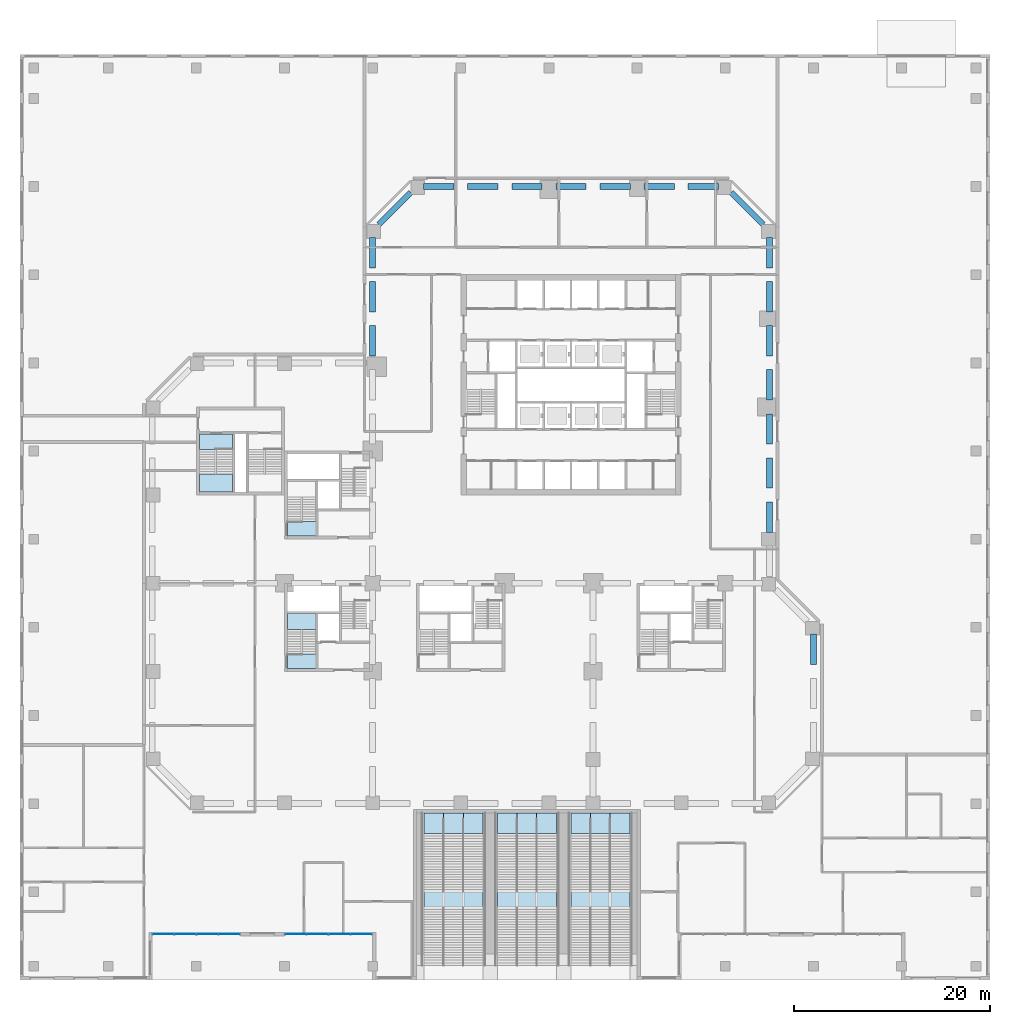
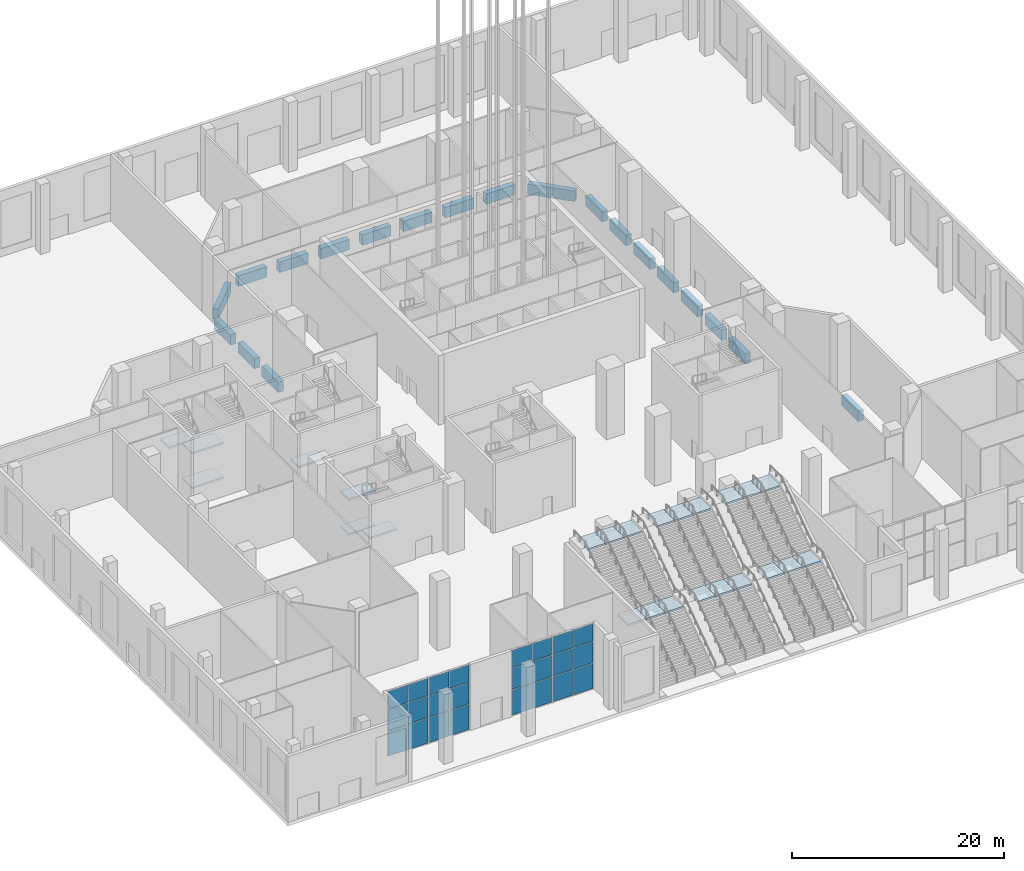
# One storey, part 5 of 32: 25 slabs, 24 plates, 20 beams, 16 elements without a shape of their own.
"""IFC4 building model written with IfcOpenShell, lengths in metres."""

import ifcopenshell
import ifcopenshell.guid

model = None  # the IFC model being written
_history = None  # IfcOwnerHistory: only IFC2X3 demands one
_inside = {}  # id of a spatial element -> (the spatial element, [elements in it])
_under = {}  # id of a project, library or spatial element -> (it, [spatial elements below it])
_declared = {}  # id of a project -> (the project, [libraries it declares])
_typed = {}  # id of a type object -> (the type object, [elements of that type])
_made_of = {}  # id of a material, layer set ... -> (it, [elements and type objects made of it])


def new_model(schema):
    """Start an empty IFC model of exactly this schema.

    Asked for "IFC4X3", IfcOpenShell would pick the latest addendum, in which some entities
    have other attributes; the version numbers below select the first issue.
    IFC2X3 requires an IfcOwnerHistory on every rooted entity: one is made here for all.
    """
    global model, _history
    if schema == "IFC4X3":
        model = ifcopenshell.file(schema_version=(4, 3, 0, 0))
    else:
        model = ifcopenshell.file(schema=schema)
    _inside.clear()
    _under.clear()
    _declared.clear()
    _typed.clear()
    _made_of.clear()
    _history = None
    if model.schema == "IFC2X3":
        org = make("IfcOrganization", Name="unknown")
        user = make(
            "IfcPersonAndOrganization",
            ThePerson=make("IfcPerson", FamilyName="unknown"),
            TheOrganization=org,
        )
        app = make(
            "IfcApplication",
            ApplicationDeveloper=org,
            Version="unknown",
            ApplicationFullName="unknown",
            ApplicationIdentifier="unknown",
        )
        _history = make(
            "IfcOwnerHistory",
            OwningUser=user,
            OwningApplication=app,
            ChangeAction="ADDED",
            CreationDate=0,
        )
    return model


def make(cls, **values):
    """One entity of the class cls with the attributes given. An attribute that is None is left unset."""
    return model.create_entity(
        cls, **{name: value for name, value in values.items() if value is not None}
    )


def rooted(cls, **values):
    """An entity with a GlobalId (a new one), such as an element, a storey or a relation."""
    return make(cls, GlobalId=ifcopenshell.guid.new(), OwnerHistory=_history, **values)


def si_unit(unit_type, name, prefix=None):
    """IfcSIUnit, for example si_unit("LENGTHUNIT", "METRE", prefix="MILLI")."""
    return make("IfcSIUnit", UnitType=unit_type, Prefix=prefix, Name=name)


def assignment(units):
    """IfcUnitAssignment: the units of a project."""
    return None if units is None else make("IfcUnitAssignment", Units=units)


def point(xyz):
    """IfcCartesianPoint."""
    return None if xyz is None else make("IfcCartesianPoint", Coordinates=xyz)


def direction(xyz):
    """IfcDirection."""
    return None if xyz is None else make("IfcDirection", DirectionRatios=xyz)


def frame(location, z_axis=None, x_axis=None):
    """IfcAxis2Placement3D, a coordinate frame: its origin and axes. An axis left out is left unset."""
    return make(
        "IfcAxis2Placement3D",
        Location=point(location),
        Axis=direction(z_axis),
        RefDirection=direction(x_axis),
    )


def frame_2d(location, x_axis=None):
    """IfcAxis2Placement2D, a coordinate frame in the plane: its origin and x axis."""
    return make(
        "IfcAxis2Placement2D", Location=point(location), RefDirection=direction(x_axis)
    )


def origin():
    """The frame at (0, 0, 0) with its axes left unset."""
    return frame((0.0, 0.0, 0.0))


def origin_2d():
    """The frame at (0, 0) in the plane with its x axis left unset."""
    return frame_2d((0.0, 0.0))


def place(relative_to, where):
    """IfcLocalPlacement: puts the frame where relative to a parent placement (None: the world)."""
    return make(
        "IfcLocalPlacement", PlacementRelTo=relative_to, RelativePlacement=where
    )


def context(
    kind, dimensions, precision=None, world=None, true_north=None, identifier=None
):
    """IfcGeometricRepresentationContext, for example the 3D "Model" context."""
    return make(
        "IfcGeometricRepresentationContext",
        ContextIdentifier=identifier,
        ContextType=kind,
        CoordinateSpaceDimension=dimensions,
        Precision=precision,
        WorldCoordinateSystem=world,
        TrueNorth=true_north,
    )


def subcontext(parent, identifier, kind, view, scale=None):
    """IfcGeometricRepresentationSubContext, for example "Body" below "Model"."""
    return make(
        "IfcGeometricRepresentationSubContext",
        ContextIdentifier=identifier,
        ContextType=kind,
        ParentContext=parent,
        TargetScale=scale,
        TargetView=view,
    )


def project(units=None, contexts=None):
    """IfcProject with its units and contexts."""
    return rooted(
        "IfcProject",
        Name="project",
        RepresentationContexts=contexts,
        UnitsInContext=assignment(units),
    )


def spatial(cls, under=None, at=None, **own):
    """A site, building, storey or space (cls), placed at a placement, below another one or the project."""
    s = rooted(cls, ObjectPlacement=at, **own)
    if under is not None:
        _under.setdefault(under.id(), (under, []))[1].append(s)
    return s


def polyline(points):
    """IfcPolyline through the points."""
    return make("IfcPolyline", Points=[point(p) for p in points])


def profile(cls, at=None, kind="AREA", **sizes):
    """A parametric profile (cls). Its sizes go by their IFC names, for example OverallWidth=200.0."""
    return make(cls, ProfileType=kind, Position=at, **sizes)


def rectangle(**sizes):
    """IfcRectangleProfileDef."""
    return profile("IfcRectangleProfileDef", **sizes)


def outline(outer, holes=None, kind="AREA"):
    """IfcArbitraryClosedProfileDef: a profile drawn as a closed curve; with holes, ...WithVoids."""
    if holes is None:
        return make("IfcArbitraryClosedProfileDef", ProfileType=kind, OuterCurve=outer)
    return make(
        "IfcArbitraryProfileDefWithVoids",
        ProfileType=kind,
        OuterCurve=outer,
        InnerCurves=holes,
    )


def extrude(swept, where, along, depth):
    """IfcExtrudedAreaSolid: the profile swept, set in the frame where, extruded along a direction by depth."""
    return make(
        "IfcExtrudedAreaSolid",
        SweptArea=swept,
        Position=where,
        ExtrudedDirection=direction(along),
        Depth=depth,
    )


def shape(context_of_items, identifier, shape_type, items):
    """IfcShapeRepresentation: the items that make up one representation, for example the "Body"."""
    return make(
        "IfcShapeRepresentation",
        ContextOfItems=context_of_items,
        RepresentationIdentifier=identifier,
        RepresentationType=shape_type,
        Items=items,
    )


def material(Name=None, Category=None):
    """IfcMaterial."""
    return make("IfcMaterial", Name=Name, Category=Category)


def layer(
    of_material, thickness, ventilated=None, Name=None, Category=None, Priority=None
):
    """IfcMaterialLayer: one layer of a wall or slab, of a material (None: an air gap)."""
    return make(
        "IfcMaterialLayer",
        Material=of_material,
        LayerThickness=thickness,
        IsVentilated=ventilated,
        Name=Name,
        Category=Category,
        Priority=Priority,
    )


def layer_set(layers, Name=None):
    """IfcMaterialLayerSet."""
    return make("IfcMaterialLayerSet", MaterialLayers=layers, LayerSetName=Name)


def constituent(of_material, Name=None, Category=None, fraction=None):
    """IfcMaterialConstituent: one of the materials an element consists of."""
    return make(
        "IfcMaterialConstituent",
        Name=Name,
        Material=of_material,
        Fraction=fraction,
        Category=Category,
    )


def constituent_set(constituents=None, Name=None):
    """IfcMaterialConstituentSet."""
    return make(
        "IfcMaterialConstituentSet", Name=Name, MaterialConstituents=constituents
    )


def material_profile(
    of_material, cross_section, Name=None, Category=None, Priority=None
):
    """IfcMaterialProfile: a cross section and its material."""
    return make(
        "IfcMaterialProfile",
        Name=Name,
        Material=of_material,
        Profile=cross_section,
        Priority=Priority,
        Category=Category,
    )


def profile_set(profiles, Name=None, composite=None):
    """IfcMaterialProfileSet."""
    return make(
        "IfcMaterialProfileSet",
        Name=Name,
        MaterialProfiles=profiles,
        CompositeProfile=composite,
    )


def made_of(thing, what):
    """Note that an element or type object is made of a material, layer set ...; save() writes the relation."""
    if what is not None:
        _made_of.setdefault(what.id(), (what, []))[1].append(thing)
    return thing


def type_object(cls, material=None, **own):
    """A type object (cls), such as IfcWallType, which elements share."""
    return made_of(rooted(cls, **own), material)


def element(
    cls,
    number,
    at=None,
    inside=None,
    cuts=None,
    type_object=None,
    material=None,
    context=None,
    identifier="Body",
    shape_type=None,
    held_by="IfcProductDefinitionShape",
    body=None,
    shapes=None,
    **own,
):
    """One element of the class cls, such as IfcWall. Its Tag is "e" and its number.

    at: its placement. inside: the storey or other place that contains it. cuts: it is an
    opening in that element (IfcRelVoidsElement). A single representation is given by context,
    identifier, shape_type and body (its items); several are given by shapes. held_by: the class
    of the entity that holds the representations. save() writes the other relations.
    """
    e = rooted(cls, Tag="e%d" % number, ObjectPlacement=at, **own)
    if body is not None:
        shapes = [shape(context, identifier, shape_type, body)]
    if shapes is not None:
        e.Representation = make(held_by, Representations=shapes)
    if inside is not None:
        _inside.setdefault(inside.id(), (inside, []))[1].append(e)
    if cuts is not None:
        rooted(
            "IfcRelVoidsElement", RelatingBuildingElement=cuts, RelatedOpeningElement=e
        )
    if type_object is not None:
        _typed.setdefault(type_object.id(), (type_object, []))[1].append(e)
    return made_of(e, material)


def aggregate(whole, parts):
    """IfcRelAggregates: a whole, such as a stair, and the parts it consists of."""
    return rooted("IfcRelAggregates", RelatingObject=whole, RelatedObjects=parts)


def save(model, path):
    """Write the relations noted so far, then the file.

    IfcRelAggregates (storeys below a building ...), IfcRelContainedInSpatialStructure (elements
    in a storey), IfcRelDefinesByType, IfcRelAssociatesMaterial and IfcRelDeclares: one each for
    every whole, place, type object, material and project.
    """
    for whole, parts in _under.values():
        aggregate(whole, parts)
    for where, things in _inside.values():
        rooted(
            "IfcRelContainedInSpatialStructure",
            RelatedElements=things,
            RelatingStructure=where,
        )
    for kind, things in _typed.values():
        rooted("IfcRelDefinesByType", RelatedObjects=things, RelatingType=kind)
    for what, things in _made_of.values():
        rooted("IfcRelAssociatesMaterial", RelatedObjects=things, RelatingMaterial=what)
    for by, libraries in _declared.values():
        rooted("IfcRelDeclares", RelatingContext=by, RelatedDefinitions=libraries)
    model.write(path)


model = new_model("IFC4")

# Units and contexts
model_context = context("Model", 3, precision=1e-05, world=origin(), true_north=direction((0.0, 1.0)))
body_context = subcontext(model_context, "Body", "Model", "MODEL_VIEW")
ifc_project = project(units=[si_unit("LENGTHUNIT", "METRE"), si_unit("AREAUNIT", "SQUARE_METRE"), si_unit("VOLUMEUNIT", "CUBIC_METRE"), si_unit("PLANEANGLEUNIT", "RADIAN"), si_unit("MASSUNIT", "GRAM", prefix="KILO")], contexts=[model_context])

# Site, building, storey
site_placement = place(None, origin())
site = spatial("IfcSite", under=ifc_project, at=site_placement, CompositionType="ELEMENT")
building_placement = place(site_placement, origin())
building = spatial("IfcBuilding", under=site, at=building_placement, Name="Quoin Convention Tower", CompositionType="ELEMENT")
storey_placement = place(building_placement, origin())
storey = spatial("IfcBuildingStorey", under=building, at=storey_placement, Name="L00", CompositionType="ELEMENT", Elevation=0.0)

# Beams
ifc_material_1 = material(Name="Concrete C100 (100 MPa)", Category="concrete")
ifc_material_profile = material_profile(ifc_material_1, rectangle(XDim=0.60009765625, YDim=1.199951171875, at=origin_2d()), Name="RC 600x1200")
ifc_profile_set = profile_set([ifc_material_profile], Name="Concrete C100 (100 MPa)")
beam_type = type_object("IfcBeamType", Name="RC 600x1200 C100", PredefinedType="SPANDREL", material=ifc_profile_set)
for number, where, z_axis, x_axis, name in (
    (1, (81.0, 32.199951171875, -1.0), (0.0, 1.0, 0.0), (-1.0, 0.0, 0.0), "spd-L00-81000_31500-81000_36000"),
    (2, (76.5, 45.699951171875, -1.0), (0.0, 1.0, 0.0), (-1.0, 0.0, 0.0), "spd-L00-76500_45000-76500_49500"),
    (3, (76.5, 50.199951171875, -1.0), (0.0, 1.0, 0.0), (-1.0, 0.0, 0.0), "spd-L00-76500_49500-76500_54000"),
    (4, (76.5, 54.699951171875, -1.0), (0.0, 1.0, 0.0), (-1.0, 0.0, 0.0), "spd-L00-76500_54000-76500_58500"),
    (5, (76.5, 59.199951171875, -1.0), (0.0, 1.0, 0.0), (-1.0, 0.0, 0.0), "spd-L00-76500_58500-76500_63000"),
    (6, (76.5, 63.699951171875, -1.0), (0.0, 1.0, 0.0), (-1.0, 0.0, 0.0), "spd-L00-76500_63000-76500_67500"),
    (7, (76.5, 68.199951171875, -1.0), (0.0, 1.0, 0.0), (-1.0, 0.0, 0.0), "spd-L00-76500_67500-76500_72000"),
    (8, (76.5, 72.699951171875, -1.0), (0.0, 1.0, 0.0), (-1.0, 0.0, 0.0), "spd-L00-76500_72000-76500_76500"),
):
    element("IfcBeam", number, at=place(storey_placement, frame(where, z_axis=z_axis, x_axis=x_axis)), inside=storey, type_object=beam_type, Name=name, PredefinedType="SPANDREL", context=body_context, shape_type="SweptSolid", body=[
        extrude(rectangle(XDim=0.60009765625, YDim=1.199951171875, at=origin_2d()), origin(), (0.0, 0.0, 1.0), 3.10009765625),
    ])
beam_1_placement = place(storey_placement, frame((75.885009765625, 77.114990234375, -1.0), z_axis=(-0.707106781187, 0.707106781187, 0.0), x_axis=(-0.707106781187, -0.707106781187, 0.0)))
element("IfcBeam", 9, at=beam_1_placement, inside=storey, type_object=beam_type, Name="spd-L00-76500_76500-72000_81000", PredefinedType="SPANDREL", context=body_context, shape_type="SweptSolid", body=[
    extrude(rectangle(XDim=0.60009765625, YDim=1.199951171875, at=origin_2d()), origin(), (0.0, 0.0, 1.0), 4.62451171875),
])
for number, where, z_axis, x_axis, name in (
    (10, (71.300048828125, 81.0, -1.0), (-1.0, 0.0, 0.0), (0.0, -1.0, 0.0), "spd-L00-72000_81000-67500_81000"),
    (11, (66.800048828125, 81.0, -1.0), (-1.0, 0.0, 0.0), (0.0, -1.0, 0.0), "spd-L00-67500_81000-63000_81000"),
    (12, (62.300048828125, 81.0, -1.0), (-1.0, 0.0, 0.0), (0.0, -1.0, 0.0), "spd-L00-63000_81000-58500_81000"),
    (13, (57.800048828125, 81.0, -1.0), (-1.0, 0.0, 0.0), (0.0, -1.0, 0.0), "spd-L00-58500_81000-54000_81000"),
    (14, (53.300048828125, 81.0, -1.0), (-1.0, 0.0, 0.0), (0.0, -1.0, 0.0), "spd-L00-54000_81000-49500_81000"),
    (15, (48.800048828125, 81.0, -1.0), (-1.0, 0.0, 0.0), (0.0, -1.0, 0.0), "spd-L00-49500_81000-45000_81000"),
    (16, (44.300048828125, 81.0, -1.0), (-1.0, 0.0, 0.0), (0.0, -1.0, 0.0), "spd-L00-45000_81000-40500_81000"),
):
    element("IfcBeam", number, at=place(storey_placement, frame(where, z_axis=z_axis, x_axis=x_axis)), inside=storey, type_object=beam_type, Name=name, PredefinedType="SPANDREL", context=body_context, shape_type="SweptSolid", body=[
        extrude(rectangle(XDim=0.60009765625, YDim=1.199951171875, at=origin_2d()), origin(), (0.0, 0.0, 1.0), 3.10009765625),
    ])
beam_2_placement = place(storey_placement, frame((39.885009765625, 80.385009765625, -1.0), z_axis=(-0.707106781187, -0.707106781187, 0.0), x_axis=(0.707106781187, -0.707106781187, 0.0)))
element("IfcBeam", 17, at=beam_2_placement, inside=storey, type_object=beam_type, Name="spd-L00-40500_81000-36000_76500", PredefinedType="SPANDREL", context=body_context, shape_type="SweptSolid", body=[
    extrude(rectangle(XDim=0.60009765625, YDim=1.199951171875, at=origin_2d()), origin(), (0.0, 0.0, 1.0), 4.62451171875),
])
for number, where, z_axis, x_axis, name in (
    (18, (36.0, 75.800048828125, -1.0), (0.0, -1.0, 0.0), (1.0, 0.0, 0.0), "spd-L00-36000_76500-36000_72000"),
    (19, (36.0, 71.300048828125, -1.0), (0.0, -1.0, 0.0), (1.0, 0.0, 0.0), "spd-L00-36000_72000-36000_67500"),
    (20, (36.0, 66.800048828125, -1.0), (0.0, -1.0, 0.0), (1.0, 0.0, 0.0), "spd-L00-36000_67500-36000_63000"),
):
    element("IfcBeam", number, at=place(storey_placement, frame(where, z_axis=z_axis, x_axis=x_axis)), inside=storey, type_object=beam_type, Name=name, PredefinedType="SPANDREL", context=body_context, shape_type="SweptSolid", body=[
        extrude(rectangle(XDim=0.60009765625, YDim=1.199951171875, at=origin_2d()), origin(), (0.0, 0.0, 1.0), 3.10009765625),
    ])

# Stair, slabs
ifc_material_2 = material(Name="Concrete C40", Category="concrete")
ifc_constituent_1 = constituent(ifc_material_2, Name="Structure")
ifc_material_3 = material(Name="Granite", Category="masonry")
ifc_constituent_2 = constituent(ifc_material_3, Name="Finish")
ifc_constituent_set_1 = constituent_set(constituents=[ifc_constituent_1, ifc_constituent_2], Name="Concrete C40")
stair_type_1 = type_object("IfcStairType", Name="Broad street stair", PredefinedType="STRAIGHT_RUN_STAIR", material=ifc_constituent_set_1)
stair_1_placement = place(storey_placement, origin())
stair_1 = element("IfcStair", 21, at=stair_1_placement, inside=storey, type_object=stair_type_1, Name="Broad street stair 1", PredefinedType="STRAIGHT_RUN_STAIR")
ifc_layer_1 = layer(ifc_material_3, 0.0400390625, Name="Finish")
ifc_layer_2 = layer(ifc_material_2, 0.159912109375, Name="Structure")
ifc_layer_set_1 = layer_set([ifc_layer_1, ifc_layer_2], Name="Concrete C40")
slab_type_1 = type_object("IfcSlabType", Name="Broad street stair landing", PredefinedType="LANDING", material=ifc_layer_set_1)
slab_1_placement = place(storey_placement, frame((0.0, 0.0, 3.800048828125)))
slab_1 = element("IfcSlab", 22, at=slab_1_placement, type_object=slab_type_1, Name="BS1 landing 1", PredefinedType="LANDING", context=body_context, shape_type="SweptSolid", body=[
    extrude(outline(polyline([(41.25, 7.219970703125), (43.25, 7.219970703125), (43.25, 9.219970703125), (41.25, 9.219970703125), (41.25, 7.219970703125)])), origin(), (0.0, 0.0, 1.0), 0.199951171875),
])
slab_2_placement = place(storey_placement, frame((0.0, 0.0, 7.800048828125)))
slab_2 = element("IfcSlab", 23, at=slab_2_placement, type_object=slab_type_1, Name="BS1 landing 2", PredefinedType="LANDING", context=body_context, shape_type="SweptSolid", body=[
    extrude(outline(polyline([(41.25, 14.93994140625), (43.25, 14.93994140625), (43.25, 17.050048828125), (41.25, 17.050048828125), (41.25, 14.93994140625)])), origin(), (0.0, 0.0, 1.0), 0.199951171875),
])
aggregate(stair_1, [slab_1, slab_2])

stair_2_placement = place(storey_placement, origin())
stair_2 = element("IfcStair", 24, at=stair_2_placement, inside=storey, type_object=stair_type_1, Name="Broad street stair 2", PredefinedType="STRAIGHT_RUN_STAIR")
slab_3_placement = place(storey_placement, frame((0.0, 0.0, 3.800048828125)))
slab_3 = element("IfcSlab", 25, at=slab_3_placement, type_object=slab_type_1, Name="BS2 landing 1", PredefinedType="LANDING", context=body_context, shape_type="SweptSolid", body=[
    extrude(outline(polyline([(43.25, 7.219970703125), (45.25, 7.219970703125), (45.25, 9.219970703125), (43.25, 9.219970703125), (43.25, 7.219970703125)])), origin(), (0.0, 0.0, 1.0), 0.199951171875),
])
slab_4_placement = place(storey_placement, frame((0.0, 0.0, 7.800048828125)))
slab_4 = element("IfcSlab", 26, at=slab_4_placement, type_object=slab_type_1, Name="BS2 landing 2", PredefinedType="LANDING", context=body_context, shape_type="SweptSolid", body=[
    extrude(outline(polyline([(43.25, 14.93994140625), (45.25, 14.93994140625), (45.25, 17.050048828125), (43.25, 17.050048828125), (43.25, 14.93994140625)])), origin(), (0.0, 0.0, 1.0), 0.199951171875),
])
aggregate(stair_2, [slab_3, slab_4])

stair_3_placement = place(storey_placement, origin())
stair_3 = element("IfcStair", 27, at=stair_3_placement, inside=storey, type_object=stair_type_1, Name="Broad street stair 3", PredefinedType="STRAIGHT_RUN_STAIR")
slab_5_placement = place(storey_placement, frame((0.0, 0.0, 3.800048828125)))
slab_5 = element("IfcSlab", 28, at=slab_5_placement, type_object=slab_type_1, Name="BS3 landing 1", PredefinedType="LANDING", context=body_context, shape_type="SweptSolid", body=[
    extrude(outline(polyline([(45.25, 7.219970703125), (47.25, 7.219970703125), (47.25, 9.219970703125), (45.25, 9.219970703125), (45.25, 7.219970703125)])), origin(), (0.0, 0.0, 1.0), 0.199951171875),
])
slab_6_placement = place(storey_placement, frame((0.0, 0.0, 7.800048828125)))
slab_6 = element("IfcSlab", 29, at=slab_6_placement, type_object=slab_type_1, Name="BS3 landing 2", PredefinedType="LANDING", context=body_context, shape_type="SweptSolid", body=[
    extrude(outline(polyline([(45.25, 14.93994140625), (47.25, 14.93994140625), (47.25, 17.050048828125), (45.25, 17.050048828125), (45.25, 14.93994140625)])), origin(), (0.0, 0.0, 1.0), 0.199951171875),
])
aggregate(stair_3, [slab_5, slab_6])

stair_4_placement = place(storey_placement, origin())
stair_4 = element("IfcStair", 30, at=stair_4_placement, inside=storey, type_object=stair_type_1, Name="Broad street stair 4", PredefinedType="STRAIGHT_RUN_STAIR")
slab_7_placement = place(storey_placement, frame((0.0, 0.0, 3.800048828125)))
slab_7 = element("IfcSlab", 31, at=slab_7_placement, type_object=slab_type_1, Name="BS4 landing 1", PredefinedType="LANDING", context=body_context, shape_type="SweptSolid", body=[
    extrude(outline(polyline([(48.75, 7.219970703125), (50.75, 7.219970703125), (50.75, 9.219970703125), (48.75, 9.219970703125), (48.75, 7.219970703125)])), origin(), (0.0, 0.0, 1.0), 0.199951171875),
])
slab_8_placement = place(storey_placement, frame((0.0, 0.0, 7.800048828125)))
slab_8 = element("IfcSlab", 32, at=slab_8_placement, type_object=slab_type_1, Name="BS4 landing 2", PredefinedType="LANDING", context=body_context, shape_type="SweptSolid", body=[
    extrude(outline(polyline([(48.75, 14.93994140625), (50.75, 14.93994140625), (50.75, 17.050048828125), (48.75, 17.050048828125), (48.75, 14.93994140625)])), origin(), (0.0, 0.0, 1.0), 0.199951171875),
])
aggregate(stair_4, [slab_7, slab_8])

stair_5_placement = place(storey_placement, origin())
stair_5 = element("IfcStair", 33, at=stair_5_placement, inside=storey, type_object=stair_type_1, Name="Broad street stair 5", PredefinedType="STRAIGHT_RUN_STAIR")
slab_9_placement = place(storey_placement, frame((0.0, 0.0, 3.800048828125)))
slab_9 = element("IfcSlab", 34, at=slab_9_placement, type_object=slab_type_1, Name="BS5 landing 1", PredefinedType="LANDING", context=body_context, shape_type="SweptSolid", body=[
    extrude(outline(polyline([(50.75, 7.219970703125), (52.75, 7.219970703125), (52.75, 9.219970703125), (50.75, 9.219970703125), (50.75, 7.219970703125)])), origin(), (0.0, 0.0, 1.0), 0.199951171875),
])
slab_10_placement = place(storey_placement, frame((0.0, 0.0, 7.800048828125)))
slab_10 = element("IfcSlab", 35, at=slab_10_placement, type_object=slab_type_1, Name="BS5 landing 2", PredefinedType="LANDING", context=body_context, shape_type="SweptSolid", body=[
    extrude(outline(polyline([(50.75, 14.93994140625), (52.75, 14.93994140625), (52.75, 17.050048828125), (50.75, 17.050048828125), (50.75, 14.93994140625)])), origin(), (0.0, 0.0, 1.0), 0.199951171875),
])
aggregate(stair_5, [slab_9, slab_10])

stair_6_placement = place(storey_placement, origin())
stair_6 = element("IfcStair", 36, at=stair_6_placement, inside=storey, type_object=stair_type_1, Name="Broad street stair 6", PredefinedType="STRAIGHT_RUN_STAIR")
slab_11_placement = place(storey_placement, frame((0.0, 0.0, 3.800048828125)))
slab_11 = element("IfcSlab", 37, at=slab_11_placement, type_object=slab_type_1, Name="BS6 landing 1", PredefinedType="LANDING", context=body_context, shape_type="SweptSolid", body=[
    extrude(outline(polyline([(52.75, 7.219970703125), (54.75, 7.219970703125), (54.75, 9.219970703125), (52.75, 9.219970703125), (52.75, 7.219970703125)])), origin(), (0.0, 0.0, 1.0), 0.199951171875),
])
slab_12_placement = place(storey_placement, frame((0.0, 0.0, 7.800048828125)))
slab_12 = element("IfcSlab", 38, at=slab_12_placement, type_object=slab_type_1, Name="BS6 landing 2", PredefinedType="LANDING", context=body_context, shape_type="SweptSolid", body=[
    extrude(outline(polyline([(52.75, 14.93994140625), (54.75, 14.93994140625), (54.75, 17.050048828125), (52.75, 17.050048828125), (52.75, 14.93994140625)])), origin(), (0.0, 0.0, 1.0), 0.199951171875),
])
aggregate(stair_6, [slab_11, slab_12])

stair_7_placement = place(storey_placement, origin())
stair_7 = element("IfcStair", 39, at=stair_7_placement, inside=storey, type_object=stair_type_1, Name="Broad street stair 7", PredefinedType="STRAIGHT_RUN_STAIR")
slab_13_placement = place(storey_placement, frame((0.0, 0.0, 3.800048828125)))
slab_13 = element("IfcSlab", 40, at=slab_13_placement, type_object=slab_type_1, Name="BS7 landing 1", PredefinedType="LANDING", context=body_context, shape_type="SweptSolid", body=[
    extrude(outline(polyline([(56.25, 7.219970703125), (58.25, 7.219970703125), (58.25, 9.219970703125), (56.25, 9.219970703125), (56.25, 7.219970703125)])), origin(), (0.0, 0.0, 1.0), 0.199951171875),
])
slab_14_placement = place(storey_placement, frame((0.0, 0.0, 7.800048828125)))
slab_14 = element("IfcSlab", 41, at=slab_14_placement, type_object=slab_type_1, Name="BS7 landing 2", PredefinedType="LANDING", context=body_context, shape_type="SweptSolid", body=[
    extrude(outline(polyline([(56.25, 14.93994140625), (58.25, 14.93994140625), (58.25, 17.050048828125), (56.25, 17.050048828125), (56.25, 14.93994140625)])), origin(), (0.0, 0.0, 1.0), 0.199951171875),
])
aggregate(stair_7, [slab_13, slab_14])

stair_8_placement = place(storey_placement, origin())
stair_8 = element("IfcStair", 42, at=stair_8_placement, inside=storey, type_object=stair_type_1, Name="Broad street stair 8", PredefinedType="STRAIGHT_RUN_STAIR")
slab_15_placement = place(storey_placement, frame((0.0, 0.0, 3.800048828125)))
slab_15 = element("IfcSlab", 43, at=slab_15_placement, type_object=slab_type_1, Name="BS8 landing 1", PredefinedType="LANDING", context=body_context, shape_type="SweptSolid", body=[
    extrude(outline(polyline([(58.25, 7.219970703125), (60.25, 7.219970703125), (60.25, 9.219970703125), (58.25, 9.219970703125), (58.25, 7.219970703125)])), origin(), (0.0, 0.0, 1.0), 0.199951171875),
])
slab_16_placement = place(storey_placement, frame((0.0, 0.0, 7.800048828125)))
slab_16 = element("IfcSlab", 44, at=slab_16_placement, type_object=slab_type_1, Name="BS8 landing 2", PredefinedType="LANDING", context=body_context, shape_type="SweptSolid", body=[
    extrude(outline(polyline([(58.25, 14.93994140625), (60.25, 14.93994140625), (60.25, 17.050048828125), (58.25, 17.050048828125), (58.25, 14.93994140625)])), origin(), (0.0, 0.0, 1.0), 0.199951171875),
])
aggregate(stair_8, [slab_15, slab_16])

stair_9_placement = place(storey_placement, origin())
stair_9 = element("IfcStair", 45, at=stair_9_placement, inside=storey, type_object=stair_type_1, Name="Broad street stair 9", PredefinedType="STRAIGHT_RUN_STAIR")
slab_17_placement = place(storey_placement, frame((0.0, 0.0, 3.800048828125)))
slab_17 = element("IfcSlab", 46, at=slab_17_placement, type_object=slab_type_1, Name="BS9 landing 1", PredefinedType="LANDING", context=body_context, shape_type="SweptSolid", body=[
    extrude(outline(polyline([(60.25, 7.219970703125), (62.25, 7.219970703125), (62.25, 9.219970703125), (60.25, 9.219970703125), (60.25, 7.219970703125)])), origin(), (0.0, 0.0, 1.0), 0.199951171875),
])
slab_18_placement = place(storey_placement, frame((0.0, 0.0, 7.800048828125)))
slab_18 = element("IfcSlab", 47, at=slab_18_placement, type_object=slab_type_1, Name="BS9 landing 2", PredefinedType="LANDING", context=body_context, shape_type="SweptSolid", body=[
    extrude(outline(polyline([(60.25, 14.93994140625), (62.25, 14.93994140625), (62.25, 17.050048828125), (60.25, 17.050048828125), (60.25, 14.93994140625)])), origin(), (0.0, 0.0, 1.0), 0.199951171875),
])
aggregate(stair_9, [slab_17, slab_18])

# Curtain wall, plates
ifc_material_4 = material(Name="Aluminium", Category="aluminium")
ifc_constituent_3 = constituent(ifc_material_4, Name="Frame")
ifc_material_5 = material(Name="Insulated glass", Category="glass")
ifc_constituent_4 = constituent(ifc_material_5, Name="Glazing")
ifc_constituent_set_2 = constituent_set(constituents=[ifc_constituent_3, ifc_constituent_4], Name="Aluminium")
curtain_wall_type = type_object("IfcCurtainWallType", Name="Entrance wall system", PredefinedType="NOTDEFINED", material=ifc_constituent_set_2)
curtain_wall_1_placement = place(storey_placement, origin())
curtain_wall_1 = element("IfcCurtainWall", 48, at=curtain_wall_1_placement, inside=storey, type_object=curtain_wall_type, Name="cw-ENT-L00-13500_4675", PredefinedType="NOTDEFINED")
ifc_layer_3 = layer(ifc_material_5, 0.0439453125)
ifc_layer_set_2 = layer_set([ifc_layer_3], Name="Insulated glass")
plate_type = type_object("IfcPlateType", Name="Entrance wall glazing unit 44", PredefinedType="CURTAIN_PANEL", material=ifc_layer_set_2)
plate_1_placement = place(storey_placement, frame((14.643798828125, 4.675048828125, 0.06005859375), z_axis=(0.0, 0.0, 1.0), x_axis=(1.0, 0.0, 0.0)))
plate_1 = element("IfcPlate", 49, at=plate_1_placement, type_object=plate_type, Name="CW1 panel 1.1", PredefinedType="CURTAIN_PANEL", context=body_context, shape_type="SweptSolid", body=[
    extrude(rectangle(XDim=2.137451171875, YDim=0.0439453125, at=origin_2d()), origin(), (0.0, 0.0, 1.0), 2.909912109375),
])
plate_2_placement = place(storey_placement, frame((14.643798828125, 4.675048828125, 3.030029296875), z_axis=(0.0, 0.0, 1.0), x_axis=(1.0, 0.0, 0.0)))
plate_2 = element("IfcPlate", 50, at=plate_2_placement, type_object=plate_type, Name="CW1 panel 1.2", PredefinedType="CURTAIN_PANEL", context=body_context, shape_type="SweptSolid", body=[
    extrude(rectangle(XDim=2.137451171875, YDim=0.0439453125, at=origin_2d()), origin(), (0.0, 0.0, 1.0), 2.43994140625),
])
plate_3_placement = place(storey_placement, frame((14.643798828125, 4.675048828125, 5.530029296875), z_axis=(0.0, 0.0, 1.0), x_axis=(1.0, 0.0, 0.0)))
plate_3 = element("IfcPlate", 51, at=plate_3_placement, type_object=plate_type, Name="CW1 panel 1.3", PredefinedType="CURTAIN_PANEL", context=body_context, shape_type="SweptSolid", body=[
    extrude(rectangle(XDim=2.137451171875, YDim=0.0439453125, at=origin_2d()), origin(), (0.0, 0.0, 1.0), 2.0),
])
plate_4_placement = place(storey_placement, frame((16.856201171875, 4.675048828125, 0.06005859375), z_axis=(0.0, 0.0, 1.0), x_axis=(1.0, 0.0, 0.0)))
plate_4 = element("IfcPlate", 52, at=plate_4_placement, type_object=plate_type, Name="CW1 panel 2.1", PredefinedType="CURTAIN_PANEL", context=body_context, shape_type="SweptSolid", body=[
    extrude(rectangle(XDim=2.137451171875, YDim=0.0439453125, at=origin_2d()), origin(), (0.0, 0.0, 1.0), 2.909912109375),
])
plate_5_placement = place(storey_placement, frame((16.856201171875, 4.675048828125, 3.030029296875), z_axis=(0.0, 0.0, 1.0), x_axis=(1.0, 0.0, 0.0)))
plate_5 = element("IfcPlate", 53, at=plate_5_placement, type_object=plate_type, Name="CW1 panel 2.2", PredefinedType="CURTAIN_PANEL", context=body_context, shape_type="SweptSolid", body=[
    extrude(rectangle(XDim=2.137451171875, YDim=0.0439453125, at=origin_2d()), origin(), (0.0, 0.0, 1.0), 2.43994140625),
])
plate_6_placement = place(storey_placement, frame((16.856201171875, 4.675048828125, 5.530029296875), z_axis=(0.0, 0.0, 1.0), x_axis=(1.0, 0.0, 0.0)))
plate_6 = element("IfcPlate", 54, at=plate_6_placement, type_object=plate_type, Name="CW1 panel 2.3", PredefinedType="CURTAIN_PANEL", context=body_context, shape_type="SweptSolid", body=[
    extrude(rectangle(XDim=2.137451171875, YDim=0.0439453125, at=origin_2d()), origin(), (0.0, 0.0, 1.0), 2.0),
])
aggregate(curtain_wall_1, [plate_1, plate_2, plate_3, plate_4, plate_5, plate_6])

curtain_wall_2_placement = place(storey_placement, origin())
curtain_wall_2 = element("IfcCurtainWall", 55, at=curtain_wall_2_placement, inside=storey, type_object=curtain_wall_type, Name="cw-ENT-L00-18000_4675", PredefinedType="NOTDEFINED")
plate_7_placement = place(storey_placement, frame((19.143798828125, 4.675048828125, 0.06005859375), z_axis=(0.0, 0.0, 1.0), x_axis=(1.0, 0.0, 0.0)))
plate_7 = element("IfcPlate", 56, at=plate_7_placement, type_object=plate_type, Name="CW1 panel 1.1", PredefinedType="CURTAIN_PANEL", context=body_context, shape_type="SweptSolid", body=[
    extrude(rectangle(XDim=2.137451171875, YDim=0.0439453125, at=origin_2d()), origin(), (0.0, 0.0, 1.0), 2.909912109375),
])
plate_8_placement = place(storey_placement, frame((19.143798828125, 4.675048828125, 3.030029296875), z_axis=(0.0, 0.0, 1.0), x_axis=(1.0, 0.0, 0.0)))
plate_8 = element("IfcPlate", 57, at=plate_8_placement, type_object=plate_type, Name="CW1 panel 1.2", PredefinedType="CURTAIN_PANEL", context=body_context, shape_type="SweptSolid", body=[
    extrude(rectangle(XDim=2.137451171875, YDim=0.0439453125, at=origin_2d()), origin(), (0.0, 0.0, 1.0), 2.43994140625),
])
plate_9_placement = place(storey_placement, frame((19.143798828125, 4.675048828125, 5.530029296875), z_axis=(0.0, 0.0, 1.0), x_axis=(1.0, 0.0, 0.0)))
plate_9 = element("IfcPlate", 58, at=plate_9_placement, type_object=plate_type, Name="CW1 panel 1.3", PredefinedType="CURTAIN_PANEL", context=body_context, shape_type="SweptSolid", body=[
    extrude(rectangle(XDim=2.137451171875, YDim=0.0439453125, at=origin_2d()), origin(), (0.0, 0.0, 1.0), 2.0),
])
plate_10_placement = place(storey_placement, frame((21.356201171875, 4.675048828125, 0.06005859375), z_axis=(0.0, 0.0, 1.0), x_axis=(1.0, 0.0, 0.0)))
plate_10 = element("IfcPlate", 59, at=plate_10_placement, type_object=plate_type, Name="CW1 panel 2.1", PredefinedType="CURTAIN_PANEL", context=body_context, shape_type="SweptSolid", body=[
    extrude(rectangle(XDim=2.137451171875, YDim=0.0439453125, at=origin_2d()), origin(), (0.0, 0.0, 1.0), 2.909912109375),
])
plate_11_placement = place(storey_placement, frame((21.356201171875, 4.675048828125, 3.030029296875), z_axis=(0.0, 0.0, 1.0), x_axis=(1.0, 0.0, 0.0)))
plate_11 = element("IfcPlate", 60, at=plate_11_placement, type_object=plate_type, Name="CW1 panel 2.2", PredefinedType="CURTAIN_PANEL", context=body_context, shape_type="SweptSolid", body=[
    extrude(rectangle(XDim=2.137451171875, YDim=0.0439453125, at=origin_2d()), origin(), (0.0, 0.0, 1.0), 2.43994140625),
])
plate_12_placement = place(storey_placement, frame((21.356201171875, 4.675048828125, 5.530029296875), z_axis=(0.0, 0.0, 1.0), x_axis=(1.0, 0.0, 0.0)))
plate_12 = element("IfcPlate", 61, at=plate_12_placement, type_object=plate_type, Name="CW1 panel 2.3", PredefinedType="CURTAIN_PANEL", context=body_context, shape_type="SweptSolid", body=[
    extrude(rectangle(XDim=2.137451171875, YDim=0.0439453125, at=origin_2d()), origin(), (0.0, 0.0, 1.0), 2.0),
])
aggregate(curtain_wall_2, [plate_7, plate_8, plate_9, plate_10, plate_11, plate_12])

curtain_wall_3_placement = place(storey_placement, origin())
curtain_wall_3 = element("IfcCurtainWall", 62, at=curtain_wall_3_placement, inside=storey, type_object=curtain_wall_type, Name="cw-ENT-L00-27000_4675", PredefinedType="NOTDEFINED")
plate_13_placement = place(storey_placement, frame((28.143798828125, 4.675048828125, 0.06005859375), z_axis=(0.0, 0.0, 1.0), x_axis=(1.0, 0.0, 0.0)))
plate_13 = element("IfcPlate", 63, at=plate_13_placement, type_object=plate_type, Name="CW1 panel 1.1", PredefinedType="CURTAIN_PANEL", context=body_context, shape_type="SweptSolid", body=[
    extrude(rectangle(XDim=2.137451171875, YDim=0.0439453125, at=origin_2d()), origin(), (0.0, 0.0, 1.0), 2.909912109375),
])
plate_14_placement = place(storey_placement, frame((28.143798828125, 4.675048828125, 3.030029296875), z_axis=(0.0, 0.0, 1.0), x_axis=(1.0, 0.0, 0.0)))
plate_14 = element("IfcPlate", 64, at=plate_14_placement, type_object=plate_type, Name="CW1 panel 1.2", PredefinedType="CURTAIN_PANEL", context=body_context, shape_type="SweptSolid", body=[
    extrude(rectangle(XDim=2.137451171875, YDim=0.0439453125, at=origin_2d()), origin(), (0.0, 0.0, 1.0), 2.43994140625),
])
plate_15_placement = place(storey_placement, frame((28.143798828125, 4.675048828125, 5.530029296875), z_axis=(0.0, 0.0, 1.0), x_axis=(1.0, 0.0, 0.0)))
plate_15 = element("IfcPlate", 65, at=plate_15_placement, type_object=plate_type, Name="CW1 panel 1.3", PredefinedType="CURTAIN_PANEL", context=body_context, shape_type="SweptSolid", body=[
    extrude(rectangle(XDim=2.137451171875, YDim=0.0439453125, at=origin_2d()), origin(), (0.0, 0.0, 1.0), 2.0),
])
plate_16_placement = place(storey_placement, frame((30.356201171875, 4.675048828125, 0.06005859375), z_axis=(0.0, 0.0, 1.0), x_axis=(1.0, 0.0, 0.0)))
plate_16 = element("IfcPlate", 66, at=plate_16_placement, type_object=plate_type, Name="CW1 panel 2.1", PredefinedType="CURTAIN_PANEL", context=body_context, shape_type="SweptSolid", body=[
    extrude(rectangle(XDim=2.137451171875, YDim=0.0439453125, at=origin_2d()), origin(), (0.0, 0.0, 1.0), 2.909912109375),
])
plate_17_placement = place(storey_placement, frame((30.356201171875, 4.675048828125, 3.030029296875), z_axis=(0.0, 0.0, 1.0), x_axis=(1.0, 0.0, 0.0)))
plate_17 = element("IfcPlate", 67, at=plate_17_placement, type_object=plate_type, Name="CW1 panel 2.2", PredefinedType="CURTAIN_PANEL", context=body_context, shape_type="SweptSolid", body=[
    extrude(rectangle(XDim=2.137451171875, YDim=0.0439453125, at=origin_2d()), origin(), (0.0, 0.0, 1.0), 2.43994140625),
])
plate_18_placement = place(storey_placement, frame((30.356201171875, 4.675048828125, 5.530029296875), z_axis=(0.0, 0.0, 1.0), x_axis=(1.0, 0.0, 0.0)))
plate_18 = element("IfcPlate", 68, at=plate_18_placement, type_object=plate_type, Name="CW1 panel 2.3", PredefinedType="CURTAIN_PANEL", context=body_context, shape_type="SweptSolid", body=[
    extrude(rectangle(XDim=2.137451171875, YDim=0.0439453125, at=origin_2d()), origin(), (0.0, 0.0, 1.0), 2.0),
])
aggregate(curtain_wall_3, [plate_13, plate_14, plate_15, plate_16, plate_17, plate_18])

curtain_wall_4_placement = place(storey_placement, origin())
curtain_wall_4 = element("IfcCurtainWall", 69, at=curtain_wall_4_placement, inside=storey, type_object=curtain_wall_type, Name="cw-ENT-L00-31500_4675", PredefinedType="NOTDEFINED")
plate_19_placement = place(storey_placement, frame((32.643798828125, 4.675048828125, 0.06005859375), z_axis=(0.0, 0.0, 1.0), x_axis=(1.0, 0.0, 0.0)))
plate_19 = element("IfcPlate", 70, at=plate_19_placement, type_object=plate_type, Name="CW1 panel 1.1", PredefinedType="CURTAIN_PANEL", context=body_context, shape_type="SweptSolid", body=[
    extrude(rectangle(XDim=2.137451171875, YDim=0.0439453125, at=origin_2d()), origin(), (0.0, 0.0, 1.0), 2.909912109375),
])
plate_20_placement = place(storey_placement, frame((32.643798828125, 4.675048828125, 3.030029296875), z_axis=(0.0, 0.0, 1.0), x_axis=(1.0, 0.0, 0.0)))
plate_20 = element("IfcPlate", 71, at=plate_20_placement, type_object=plate_type, Name="CW1 panel 1.2", PredefinedType="CURTAIN_PANEL", context=body_context, shape_type="SweptSolid", body=[
    extrude(rectangle(XDim=2.137451171875, YDim=0.0439453125, at=origin_2d()), origin(), (0.0, 0.0, 1.0), 2.43994140625),
])
plate_21_placement = place(storey_placement, frame((32.643798828125, 4.675048828125, 5.530029296875), z_axis=(0.0, 0.0, 1.0), x_axis=(1.0, 0.0, 0.0)))
plate_21 = element("IfcPlate", 72, at=plate_21_placement, type_object=plate_type, Name="CW1 panel 1.3", PredefinedType="CURTAIN_PANEL", context=body_context, shape_type="SweptSolid", body=[
    extrude(rectangle(XDim=2.137451171875, YDim=0.0439453125, at=origin_2d()), origin(), (0.0, 0.0, 1.0), 2.0),
])
plate_22_placement = place(storey_placement, frame((34.856201171875, 4.675048828125, 0.06005859375), z_axis=(0.0, 0.0, 1.0), x_axis=(1.0, 0.0, 0.0)))
plate_22 = element("IfcPlate", 73, at=plate_22_placement, type_object=plate_type, Name="CW1 panel 2.1", PredefinedType="CURTAIN_PANEL", context=body_context, shape_type="SweptSolid", body=[
    extrude(rectangle(XDim=2.137451171875, YDim=0.0439453125, at=origin_2d()), origin(), (0.0, 0.0, 1.0), 2.909912109375),
])
plate_23_placement = place(storey_placement, frame((34.856201171875, 4.675048828125, 3.030029296875), z_axis=(0.0, 0.0, 1.0), x_axis=(1.0, 0.0, 0.0)))
plate_23 = element("IfcPlate", 74, at=plate_23_placement, type_object=plate_type, Name="CW1 panel 2.2", PredefinedType="CURTAIN_PANEL", context=body_context, shape_type="SweptSolid", body=[
    extrude(rectangle(XDim=2.137451171875, YDim=0.0439453125, at=origin_2d()), origin(), (0.0, 0.0, 1.0), 2.43994140625),
])
plate_24_placement = place(storey_placement, frame((34.856201171875, 4.675048828125, 5.530029296875), z_axis=(0.0, 0.0, 1.0), x_axis=(1.0, 0.0, 0.0)))
plate_24 = element("IfcPlate", 75, at=plate_24_placement, type_object=plate_type, Name="CW1 panel 2.3", PredefinedType="CURTAIN_PANEL", context=body_context, shape_type="SweptSolid", body=[
    extrude(rectangle(XDim=2.137451171875, YDim=0.0439453125, at=origin_2d()), origin(), (0.0, 0.0, 1.0), 2.0),
])
aggregate(curtain_wall_4, [plate_19, plate_20, plate_21, plate_22, plate_23, plate_24])

# Stair, slab
stair_type_2 = type_object("IfcStairType", Name="Exit stair four-flight 1350", PredefinedType="DOUBLE_RETURN_STAIR", material=ifc_material_2)
stair_10_placement = place(storey_placement, origin())
stair_10 = element("IfcStair", 76, at=stair_10_placement, inside=storey, type_object=stair_type_2, Name="SD3 L00", PredefinedType="DOUBLE_RETURN_STAIR")
ifc_layer_4 = layer(ifc_material_2, 0.199951171875)
ifc_layer_set_3 = layer_set([ifc_layer_4], Name="Concrete C40")
slab_type_2 = type_object("IfcSlabType", Name="Stair landing 200", PredefinedType="LANDING", material=ifc_layer_set_3)
slab_19_placement = place(storey_placement, frame((0.0, 0.0, 3.800048828125)))
slab_19 = element("IfcSlab", 77, at=slab_19_placement, type_object=slab_type_2, Name="ST3 landing 2", PredefinedType="LANDING", context=body_context, shape_type="SweptSolid", body=[
    extrude(outline(polyline([(27.300048828125, 45.300048828125), (30.199951171875, 45.300048828125), (30.199951171875, 46.800048828125), (27.300048828125, 46.800048828125), (27.300048828125, 45.300048828125)])), origin(), (0.0, 0.0, 1.0), 0.199951171875),
])
aggregate(stair_10, [slab_19])

# Stair, slabs
stair_11_placement = place(storey_placement, origin())
stair_11 = element("IfcStair", 78, at=stair_11_placement, inside=storey, type_object=stair_type_2, Name="SD7 L00", PredefinedType="DOUBLE_RETURN_STAIR")
slab_20_placement = place(storey_placement, frame((0.0, 0.0, 1.800048828125)))
slab_20 = element("IfcSlab", 79, at=slab_20_placement, type_object=slab_type_2, Name="ST7 landing 1", PredefinedType="LANDING", context=body_context, shape_type="SweptSolid", body=[
    extrude(outline(polyline([(27.300048828125, 35.800048828125), (30.199951171875, 35.800048828125), (30.199951171875, 37.39990234375), (27.300048828125, 37.39990234375), (27.300048828125, 35.800048828125)])), origin(), (0.0, 0.0, 1.0), 0.199951171875),
])
slab_21_placement = place(storey_placement, frame((0.0, 0.0, 3.800048828125)))
slab_21 = element("IfcSlab", 80, at=slab_21_placement, type_object=slab_type_2, Name="ST7 landing 2", PredefinedType="LANDING", context=body_context, shape_type="SweptSolid", body=[
    extrude(outline(polyline([(27.300048828125, 31.800048828125), (30.199951171875, 31.800048828125), (30.199951171875, 33.300048828125), (27.300048828125, 33.300048828125), (27.300048828125, 31.800048828125)])), origin(), (0.0, 0.0, 1.0), 0.199951171875),
])
slab_22_placement = place(storey_placement, frame((0.0, 0.0, 5.800048828125)))
slab_22 = element("IfcSlab", 81, at=slab_22_placement, type_object=slab_type_2, Name="ST7 landing 3", PredefinedType="LANDING", context=body_context, shape_type="SweptSolid", body=[
    extrude(outline(polyline([(27.300048828125, 35.800048828125), (30.199951171875, 35.800048828125), (30.199951171875, 37.39990234375), (27.300048828125, 37.39990234375), (27.300048828125, 35.800048828125)])), origin(), (0.0, 0.0, 1.0), 0.199951171875),
])
aggregate(stair_11, [slab_20, slab_21, slab_22])

stair_type_3 = type_object("IfcStairType", Name="Exit stair four-flight 1600", PredefinedType="DOUBLE_RETURN_STAIR", material=ifc_material_2)
stair_12_placement = place(storey_placement, origin())
stair_12 = element("IfcStair", 82, at=stair_12_placement, inside=storey, type_object=stair_type_3, Name="SD11 L00", PredefinedType="DOUBLE_RETURN_STAIR")
slab_23_placement = place(storey_placement, frame((0.0, 0.0, 1.800048828125)))
slab_23 = element("IfcSlab", 83, at=slab_23_placement, type_object=slab_type_2, Name="ST11 landing 1", PredefinedType="LANDING", context=body_context, shape_type="SweptSolid", body=[
    extrude(outline(polyline([(21.699951171875, 51.64990234375), (18.300048828125, 51.64990234375), (18.300048828125, 49.800048828125), (21.699951171875, 49.800048828125), (21.699951171875, 51.64990234375)])), origin(), (0.0, 0.0, 1.0), 0.199951171875),
])
slab_24_placement = place(storey_placement, frame((0.0, 0.0, 3.800048828125)))
slab_24 = element("IfcSlab", 84, at=slab_24_placement, type_object=slab_type_2, Name="ST11 landing 2", PredefinedType="LANDING", context=body_context, shape_type="SweptSolid", body=[
    extrude(outline(polyline([(21.699951171875, 55.75), (18.300048828125, 55.75), (18.300048828125, 54.14990234375), (21.699951171875, 54.14990234375), (21.699951171875, 55.75)])), origin(), (0.0, 0.0, 1.0), 0.199951171875),
])
slab_25_placement = place(storey_placement, frame((0.0, 0.0, 5.800048828125)))
slab_25 = element("IfcSlab", 85, at=slab_25_placement, type_object=slab_type_2, Name="ST11 landing 3", PredefinedType="LANDING", context=body_context, shape_type="SweptSolid", body=[
    extrude(outline(polyline([(21.699951171875, 51.64990234375), (18.300048828125, 51.64990234375), (18.300048828125, 49.800048828125), (21.699951171875, 49.800048828125), (21.699951171875, 51.64990234375)])), origin(), (0.0, 0.0, 1.0), 0.199951171875),
])
aggregate(stair_12, [slab_23, slab_24, slab_25])

save(model, "model.ifc")
